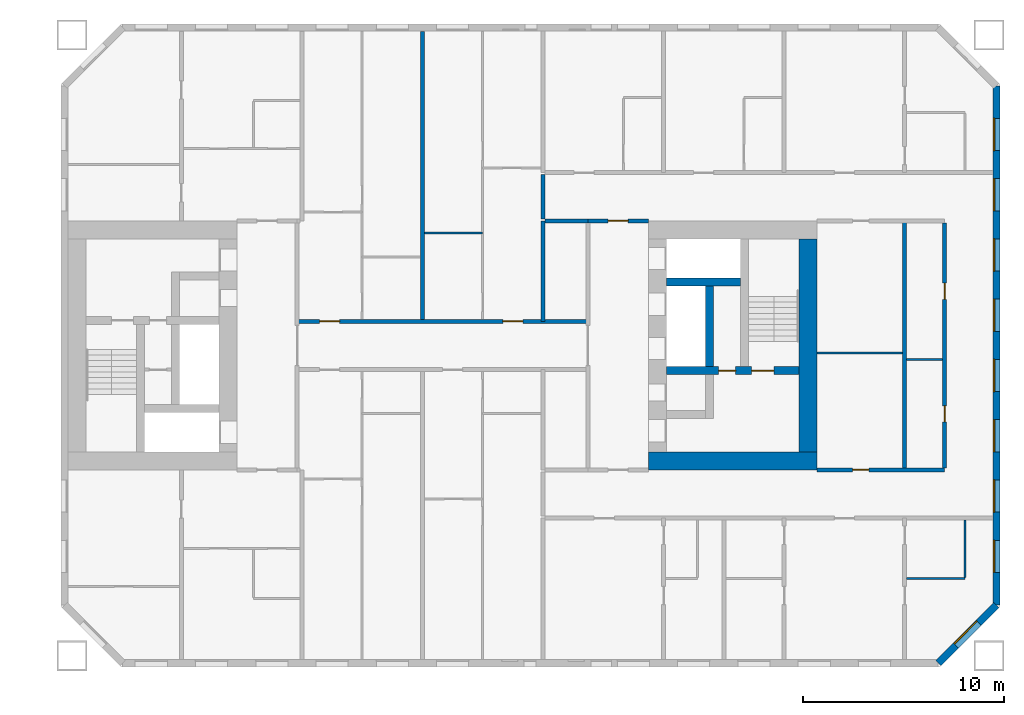
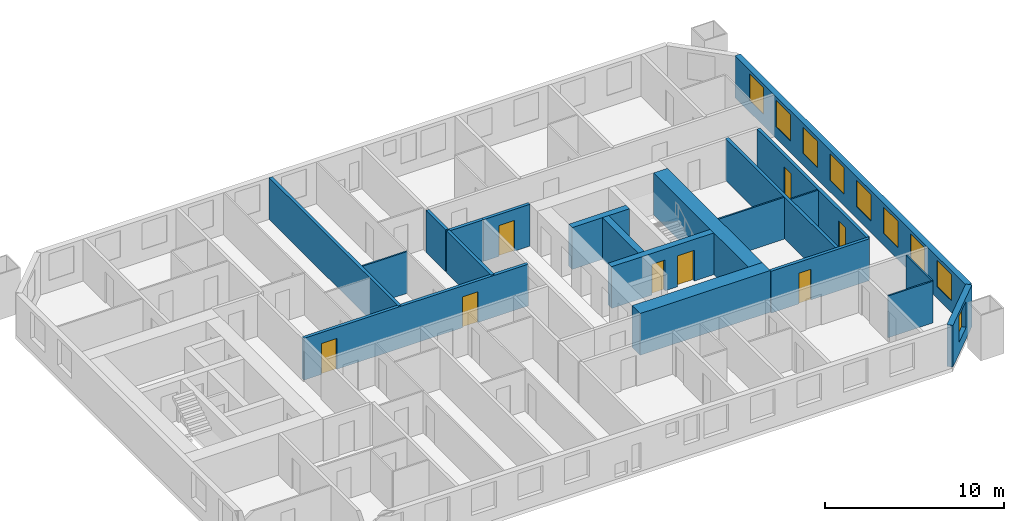
# One storey, part 12 of 16: 21 walls, 9 windows, 8 doors, 17 openings.
"""IFC4 building model written with IfcOpenShell, lengths in metres."""

from ifc_helpers import new_model, si_unit, direction, frame, frame_2d, origin, place, context, subcontext, project, spatial, rectangle, extrude, material, layer, layer_set, type_object, element, fill, save


model = new_model("IFC4")

# Units and contexts
model_context = context("Model", 3, precision=1e-05, world=origin(), true_north=direction((0.0, 1.0)))
body_context = subcontext(model_context, "Body", "Model", "MODEL_VIEW")
ifc_project = project(units=[si_unit("LENGTHUNIT", "METRE"), si_unit("AREAUNIT", "SQUARE_METRE"), si_unit("VOLUMEUNIT", "CUBIC_METRE"), si_unit("PLANEANGLEUNIT", "RADIAN"), si_unit("MASSUNIT", "GRAM", prefix="KILO")], contexts=[model_context])

# Site, building, storey
site_placement = place(None, origin())
site = spatial("IfcSite", under=ifc_project, at=site_placement, CompositionType="ELEMENT")
building_placement = place(site_placement, origin())
building = spatial("IfcBuilding", under=site, at=building_placement, Name="Tuart Gate Housing", CompositionType="ELEMENT")
storey_placement = place(building_placement, frame((0.0, 0.0, 35.0)))
storey = spatial("IfcBuildingStorey", under=building, at=storey_placement, Name="L09", CompositionType="ELEMENT", Elevation=35.0)

# Wall, opening, window
ifc_material_1 = material(Name="Brick", Category="masonry")
ifc_layer_1 = layer(ifc_material_1, 0.360107421875)
ifc_layer_set_1 = layer_set([ifc_layer_1], Name="Brick pier and spandrel wall 360")
wall_type_1 = type_object("IfcWallType", Name="Brick pier and spandrel wall 360", PredefinedType="STANDARD", material=ifc_layer_set_1)
wall_1_placement = place(storey_placement, frame((174.67529296875, 54.179931640625, 0.0), z_axis=(0.0, 0.0, 1.0), x_axis=(0.707106781187, 0.707106781187, 0.0)))
wall_1 = element("IfcWall", 1, at=wall_1_placement, inside=storey, type_object=wall_type_1, Name="External wall B-SE L09", PredefinedType="STANDARD", context=body_context, shape_type="SweptSolid", body=[
    extrude(rectangle(XDim=4.09375, YDim=0.360107421875, at=frame_2d((2.046875, 0.0))), origin(), (0.0, 0.0, 1.0), 2.85009765625),
])
opening_1_placement = place(wall_1_placement, frame((1.2470703125, 0.0, 0.800048828125)))
opening_1 = element("IfcOpeningElement", 2, at=opening_1_placement, cuts=wall_1, Name="Opening W1", PredefinedType="OPENING", context=body_context, shape_type="SweptSolid", body=[
    extrude(rectangle(XDim=1.60009765625, YDim=1.800048828125, at=frame_2d((0.800048828125, 0.89990234375))), frame((0.0, 0.18994140625, 0.0), z_axis=(0.0, -1.0, 0.0), x_axis=(1.0, 0.0, 0.0)), (0.0, 0.0, 1.0), 0.380126953125),
])
ifc_material_2 = material(Name="Aluminium frame with clear glass", Category="aluminium")
window_type = type_object("IfcWindowType", Name="Punched window 1600 x 1800", PartitioningType="SINGLE_PANEL", PredefinedType="WINDOW", material=ifc_material_2)
window_1_placement = place(opening_1_placement, origin())
window_1 = element("IfcWindow", 3, at=window_1_placement, inside=storey, type_object=window_type, Name="Window W1", OverallHeight=1.800048828125, OverallWidth=1.60009765625, PartitioningType="SINGLE_PANEL", PredefinedType="WINDOW", context=body_context, shape_type="SweptSolid", body=[
    extrude(rectangle(XDim=1.60009765625, YDim=1.800048828125, at=frame_2d((0.800048828125, 0.89990234375))), frame((0.0, 0.150146484375, 0.0), z_axis=(0.0, -1.0, 0.0), x_axis=(1.0, 0.0, 0.0)), (0.0, 0.0, 1.0), 0.06005859375),
])
fill(opening_1, window_1)

# Wall, openings, windows
wall_2_placement = place(storey_placement, frame((177.570068359375, 57.07470703125, 0.0), z_axis=(0.0, 0.0, 1.0), x_axis=(0.0, 1.0, 0.0)))
wall_2 = element("IfcWall", 4, at=wall_2_placement, inside=storey, type_object=wall_type_1, Name="External wall B-E L09", PredefinedType="STANDARD", context=body_context, shape_type="SweptSolid", body=[
    extrude(rectangle(XDim=25.850830078125, YDim=0.360107421875, at=frame_2d((12.92529296875, 0.0))), origin(), (0.0, 0.0, 1.0), 2.85009765625),
])
opening_2_placement = place(wall_2_placement, frame((1.62548828125, 0.0, 0.800048828125)))
opening_2 = element("IfcOpeningElement", 5, at=opening_2_placement, cuts=wall_2, Name="Opening W1", PredefinedType="OPENING", context=body_context, shape_type="SweptSolid", body=[
    extrude(rectangle(XDim=1.60009765625, YDim=1.800048828125, at=frame_2d((0.800048828125, 0.89990234375))), frame((0.0, 0.18994140625, 0.0), z_axis=(0.0, -1.0, 0.0), x_axis=(1.0, 0.0, 0.0)), (0.0, 0.0, 1.0), 0.380126953125),
])
opening_3_placement = place(wall_2_placement, frame((4.62548828125, 0.0, 0.800048828125)))
opening_3 = element("IfcOpeningElement", 6, at=opening_3_placement, cuts=wall_2, Name="Opening W1", PredefinedType="OPENING", context=body_context, shape_type="SweptSolid", body=[
    extrude(rectangle(XDim=1.60009765625, YDim=1.800048828125, at=frame_2d((0.800048828125, 0.89990234375))), frame((0.0, 0.18994140625, 0.0), z_axis=(0.0, -1.0, 0.0), x_axis=(1.0, 0.0, 0.0)), (0.0, 0.0, 1.0), 0.380126953125),
])
opening_4_placement = place(wall_2_placement, frame((7.62548828125, 0.0, 0.800048828125)))
opening_4 = element("IfcOpeningElement", 7, at=opening_4_placement, cuts=wall_2, Name="Opening W1", PredefinedType="OPENING", context=body_context, shape_type="SweptSolid", body=[
    extrude(rectangle(XDim=1.60009765625, YDim=1.800048828125, at=frame_2d((0.800048828125, 0.89990234375))), frame((0.0, 0.18994140625, 0.0), z_axis=(0.0, -1.0, 0.0), x_axis=(1.0, 0.0, 0.0)), (0.0, 0.0, 1.0), 0.380126953125),
])
opening_5_placement = place(wall_2_placement, frame((10.62548828125, 0.0, 0.800048828125)))
opening_5 = element("IfcOpeningElement", 8, at=opening_5_placement, cuts=wall_2, Name="Opening W1", PredefinedType="OPENING", context=body_context, shape_type="SweptSolid", body=[
    extrude(rectangle(XDim=1.60009765625, YDim=1.800048828125, at=frame_2d((0.800048828125, 0.89990234375))), frame((0.0, 0.18994140625, 0.0), z_axis=(0.0, -1.0, 0.0), x_axis=(1.0, 0.0, 0.0)), (0.0, 0.0, 1.0), 0.380126953125),
])
opening_6_placement = place(wall_2_placement, frame((13.62548828125, 0.0, 0.800048828125)))
opening_6 = element("IfcOpeningElement", 9, at=opening_6_placement, cuts=wall_2, Name="Opening W1", PredefinedType="OPENING", context=body_context, shape_type="SweptSolid", body=[
    extrude(rectangle(XDim=1.60009765625, YDim=1.800048828125, at=frame_2d((0.800048828125, 0.89990234375))), frame((0.0, 0.18994140625, 0.0), z_axis=(0.0, -1.0, 0.0), x_axis=(1.0, 0.0, 0.0)), (0.0, 0.0, 1.0), 0.380126953125),
])
opening_7_placement = place(wall_2_placement, frame((16.62548828125, 0.0, 0.800048828125)))
opening_7 = element("IfcOpeningElement", 10, at=opening_7_placement, cuts=wall_2, Name="Opening W1", PredefinedType="OPENING", context=body_context, shape_type="SweptSolid", body=[
    extrude(rectangle(XDim=1.60009765625, YDim=1.800048828125, at=frame_2d((0.800048828125, 0.89990234375))), frame((0.0, 0.18994140625, 0.0), z_axis=(0.0, -1.0, 0.0), x_axis=(1.0, 0.0, 0.0)), (0.0, 0.0, 1.0), 0.380126953125),
])
opening_8_placement = place(wall_2_placement, frame((19.62548828125, 0.0, 0.800048828125)))
opening_8 = element("IfcOpeningElement", 11, at=opening_8_placement, cuts=wall_2, Name="Opening W1", PredefinedType="OPENING", context=body_context, shape_type="SweptSolid", body=[
    extrude(rectangle(XDim=1.60009765625, YDim=1.800048828125, at=frame_2d((0.800048828125, 0.89990234375))), frame((0.0, 0.18994140625, 0.0), z_axis=(0.0, -1.0, 0.0), x_axis=(1.0, 0.0, 0.0)), (0.0, 0.0, 1.0), 0.380126953125),
])
opening_9_placement = place(wall_2_placement, frame((22.62548828125, 0.0, 0.800048828125)))
opening_9 = element("IfcOpeningElement", 12, at=opening_9_placement, cuts=wall_2, Name="Opening W1", PredefinedType="OPENING", context=body_context, shape_type="SweptSolid", body=[
    extrude(rectangle(XDim=1.60009765625, YDim=1.800048828125, at=frame_2d((0.800048828125, 0.89990234375))), frame((0.0, 0.18994140625, 0.0), z_axis=(0.0, -1.0, 0.0), x_axis=(1.0, 0.0, 0.0)), (0.0, 0.0, 1.0), 0.380126953125),
])
window_2_placement = place(opening_2_placement, origin())
window_2 = element("IfcWindow", 13, at=window_2_placement, inside=storey, type_object=window_type, Name="Window W1", OverallHeight=1.800048828125, OverallWidth=1.60009765625, PartitioningType="SINGLE_PANEL", PredefinedType="WINDOW", context=body_context, shape_type="SweptSolid", body=[
    extrude(rectangle(XDim=1.60009765625, YDim=1.800048828125, at=frame_2d((0.800048828125, 0.89990234375))), frame((0.0, 0.150146484375, 0.0), z_axis=(0.0, -1.0, 0.0), x_axis=(1.0, 0.0, 0.0)), (0.0, 0.0, 1.0), 0.06005859375),
])
fill(opening_2, window_2)
window_3_placement = place(opening_3_placement, origin())
window_3 = element("IfcWindow", 14, at=window_3_placement, inside=storey, type_object=window_type, Name="Window W1", OverallHeight=1.800048828125, OverallWidth=1.60009765625, PartitioningType="SINGLE_PANEL", PredefinedType="WINDOW", context=body_context, shape_type="SweptSolid", body=[
    extrude(rectangle(XDim=1.60009765625, YDim=1.800048828125, at=frame_2d((0.800048828125, 0.89990234375))), frame((0.0, 0.150146484375, 0.0), z_axis=(0.0, -1.0, 0.0), x_axis=(1.0, 0.0, 0.0)), (0.0, 0.0, 1.0), 0.06005859375),
])
fill(opening_3, window_3)
window_4_placement = place(opening_4_placement, origin())
window_4 = element("IfcWindow", 15, at=window_4_placement, inside=storey, type_object=window_type, Name="Window W1", OverallHeight=1.800048828125, OverallWidth=1.60009765625, PartitioningType="SINGLE_PANEL", PredefinedType="WINDOW", context=body_context, shape_type="SweptSolid", body=[
    extrude(rectangle(XDim=1.60009765625, YDim=1.800048828125, at=frame_2d((0.800048828125, 0.89990234375))), frame((0.0, 0.150146484375, 0.0), z_axis=(0.0, -1.0, 0.0), x_axis=(1.0, 0.0, 0.0)), (0.0, 0.0, 1.0), 0.06005859375),
])
fill(opening_4, window_4)
window_5_placement = place(opening_5_placement, origin())
window_5 = element("IfcWindow", 16, at=window_5_placement, inside=storey, type_object=window_type, Name="Window W1", OverallHeight=1.800048828125, OverallWidth=1.60009765625, PartitioningType="SINGLE_PANEL", PredefinedType="WINDOW", context=body_context, shape_type="SweptSolid", body=[
    extrude(rectangle(XDim=1.60009765625, YDim=1.800048828125, at=frame_2d((0.800048828125, 0.89990234375))), frame((0.0, 0.150146484375, 0.0), z_axis=(0.0, -1.0, 0.0), x_axis=(1.0, 0.0, 0.0)), (0.0, 0.0, 1.0), 0.06005859375),
])
fill(opening_5, window_5)
window_6_placement = place(opening_6_placement, origin())
window_6 = element("IfcWindow", 17, at=window_6_placement, inside=storey, type_object=window_type, Name="Window W1", OverallHeight=1.800048828125, OverallWidth=1.60009765625, PartitioningType="SINGLE_PANEL", PredefinedType="WINDOW", context=body_context, shape_type="SweptSolid", body=[
    extrude(rectangle(XDim=1.60009765625, YDim=1.800048828125, at=frame_2d((0.800048828125, 0.89990234375))), frame((0.0, 0.150146484375, 0.0), z_axis=(0.0, -1.0, 0.0), x_axis=(1.0, 0.0, 0.0)), (0.0, 0.0, 1.0), 0.06005859375),
])
fill(opening_6, window_6)
window_7_placement = place(opening_7_placement, origin())
window_7 = element("IfcWindow", 18, at=window_7_placement, inside=storey, type_object=window_type, Name="Window W1", OverallHeight=1.800048828125, OverallWidth=1.60009765625, PartitioningType="SINGLE_PANEL", PredefinedType="WINDOW", context=body_context, shape_type="SweptSolid", body=[
    extrude(rectangle(XDim=1.60009765625, YDim=1.800048828125, at=frame_2d((0.800048828125, 0.89990234375))), frame((0.0, 0.150146484375, 0.0), z_axis=(0.0, -1.0, 0.0), x_axis=(1.0, 0.0, 0.0)), (0.0, 0.0, 1.0), 0.06005859375),
])
fill(opening_7, window_7)
window_8_placement = place(opening_8_placement, origin())
window_8 = element("IfcWindow", 19, at=window_8_placement, inside=storey, type_object=window_type, Name="Window W1", OverallHeight=1.800048828125, OverallWidth=1.60009765625, PartitioningType="SINGLE_PANEL", PredefinedType="WINDOW", context=body_context, shape_type="SweptSolid", body=[
    extrude(rectangle(XDim=1.60009765625, YDim=1.800048828125, at=frame_2d((0.800048828125, 0.89990234375))), frame((0.0, 0.150146484375, 0.0), z_axis=(0.0, -1.0, 0.0), x_axis=(1.0, 0.0, 0.0)), (0.0, 0.0, 1.0), 0.06005859375),
])
fill(opening_8, window_8)
window_9_placement = place(opening_9_placement, origin())
window_9 = element("IfcWindow", 20, at=window_9_placement, inside=storey, type_object=window_type, Name="Window W1", OverallHeight=1.800048828125, OverallWidth=1.60009765625, PartitioningType="SINGLE_PANEL", PredefinedType="WINDOW", context=body_context, shape_type="SweptSolid", body=[
    extrude(rectangle(XDim=1.60009765625, YDim=1.800048828125, at=frame_2d((0.800048828125, 0.89990234375))), frame((0.0, 0.150146484375, 0.0), z_axis=(0.0, -1.0, 0.0), x_axis=(1.0, 0.0, 0.0)), (0.0, 0.0, 1.0), 0.06005859375),
])
fill(opening_9, window_9)

# Wall
ifc_material_3 = material(Name="Concrete C60", Category="concrete")
ifc_layer_2 = layer(ifc_material_3, 0.39990234375)
ifc_layer_set_2 = layer_set([ifc_layer_2], Name="Core wall 400 C60")
wall_type_2 = type_object("IfcWallType", Name="Core wall 400 C60", PredefinedType="SHEAR", material=ifc_layer_set_2)
wall_3_placement = place(storey_placement, frame((161.139892578125, 73.14990234375, 0.0), z_axis=(0.0, 0.0, 1.0), x_axis=(1.0, 0.0, 0.0)))
element("IfcWall", 21, at=wall_3_placement, inside=storey, type_object=wall_type_2, Name="Core wall BK.1", PredefinedType="SHEAR", context=body_context, shape_type="SweptSolid", body=[
    extrude(rectangle(XDim=3.7001953125, YDim=0.39990234375, at=frame_2d((1.85009765625, 0.0))), origin(), (0.0, 0.0, 1.0), 2.85009765625),
])

# Wall, openings, doors
wall_4_placement = place(storey_placement, frame((161.139892578125, 68.75, 0.0), z_axis=(0.0, 0.0, 1.0), x_axis=(1.0, 0.0, 0.0)))
wall_4 = element("IfcWall", 22, at=wall_4_placement, inside=storey, type_object=wall_type_2, Name="Core wall BK.2", PredefinedType="SHEAR", context=body_context, shape_type="SweptSolid", body=[
    extrude(rectangle(XDim=6.60009765625, YDim=0.39990234375, at=frame_2d((3.300048828125, 0.0))), origin(), (0.0, 0.0, 1.0), 2.85009765625),
])
opening_10_placement = place(wall_4_placement, frame((4.25, 0.0, 0.0)))
opening_10 = element("IfcOpeningElement", 23, at=opening_10_placement, cuts=wall_4, Name="Opening D568", PredefinedType="OPENING", context=body_context, shape_type="SweptSolid", body=[
    extrude(rectangle(XDim=1.10009765625, YDim=2.10009765625, at=frame_2d((0.550048828125, 1.050048828125))), frame((0.0, 0.2099609375, 0.0), z_axis=(0.0, -1.0, 0.0), x_axis=(1.0, 0.0, 0.0)), (0.0, 0.0, 1.0), 0.419921875),
])
opening_11_placement = place(wall_4_placement, frame((2.60009765625, 0.0, 0.0)))
opening_11 = element("IfcOpeningElement", 24, at=opening_11_placement, cuts=wall_4, Name="Opening D567", PredefinedType="OPENING", context=body_context, shape_type="SweptSolid", body=[
    extrude(rectangle(XDim=0.85009765625, YDim=2.10009765625, at=frame_2d((0.425048828125, 1.050048828125))), frame((0.0, 0.2099609375, 0.0), z_axis=(0.0, -1.0, 0.0), x_axis=(1.0, 0.0, 0.0)), (0.0, 0.0, 1.0), 0.419921875),
])
ifc_material_4 = material(Name="Steel fire door", Category="steel")
door_type_1 = type_object("IfcDoorType", Name="Riser door 850 x 2100", OperationType="SINGLE_SWING_LEFT", PredefinedType="DOOR", material=ifc_material_4)
door_1_placement = place(opening_11_placement, origin())
door_1 = element("IfcDoor", 25, at=door_1_placement, inside=storey, type_object=door_type_1, Name="Service room door BK.W1", OperationType="SINGLE_SWING_LEFT", OverallHeight=2.10009765625, OverallWidth=0.85009765625, PredefinedType="DOOR", context=body_context, shape_type="SweptSolid", body=[
    extrude(rectangle(XDim=0.85009765625, YDim=2.10009765625, at=frame_2d((0.425048828125, 1.050048828125))), frame((0.0, 0.02490234375, 0.0), z_axis=(0.0, -1.0, 0.0), x_axis=(1.0, 0.0, 0.0)), (0.0, 0.0, 1.0), 0.050048828125),
])
fill(opening_11, door_1)
ifc_material_5 = material(Name="Steel fire door", Category="steel")
door_type_2 = type_object("IfcDoorType", Name="Stair door 1100 x 2100", OperationType="SINGLE_SWING_LEFT", PredefinedType="DOOR", material=ifc_material_5)
door_2_placement = place(opening_10_placement, origin())
door_2 = element("IfcDoor", 26, at=door_2_placement, inside=storey, type_object=door_type_2, Name="Stair door BK.SD", OperationType="SINGLE_SWING_LEFT", OverallHeight=2.10009765625, OverallWidth=1.10009765625, PredefinedType="DOOR", context=body_context, shape_type="SweptSolid", body=[
    extrude(rectangle(XDim=1.10009765625, YDim=2.10009765625, at=frame_2d((0.550048828125, 1.050048828125))), frame((0.0, 0.02490234375, 0.0), z_axis=(0.0, -1.0, 0.0), x_axis=(1.0, 0.0, 0.0)), (0.0, 0.0, 1.0), 0.050048828125),
])
fill(opening_10, door_2)

# Walls
wall_5_placement = place(storey_placement, frame((163.2900390625, 72.949951171875, 0.0), z_axis=(0.0, 0.0, 1.0), x_axis=(0.0, -1.0, 0.0)))
element("IfcWall", 27, at=wall_5_placement, inside=storey, type_object=wall_type_2, Name="Core wall BK.4", PredefinedType="SHEAR", context=body_context, shape_type="SweptSolid", body=[
    extrude(rectangle(XDim=4.0, YDim=0.39990234375, at=frame_2d((2.0, 0.0))), origin(), (0.0, 0.0, 1.0), 2.85009765625),
])
ifc_material_6 = material(Name="Concrete C60", Category="concrete")
ifc_layer_3 = layer(ifc_material_6, 0.89990234375)
ifc_layer_set_3 = layer_set([ifc_layer_3], Name="Core wall 900 C60")
wall_type_3 = type_object("IfcWallType", Name="Core wall 900 C60", PredefinedType="SHEAR", material=ifc_layer_set_3)
wall_6_placement = place(storey_placement, frame((168.18994140625, 75.300048828125, 0.0), z_axis=(0.0, 0.0, 1.0), x_axis=(0.0, -1.0, 0.0)))
element("IfcWall", 28, at=wall_6_placement, inside=storey, type_object=wall_type_3, Name="Core wall BK back", PredefinedType="SHEAR", context=body_context, shape_type="SweptSolid", body=[
    extrude(rectangle(XDim=10.60009765625, YDim=0.89990234375, at=frame_2d((5.300048828125, 0.0))), origin(), (0.0, 0.0, 1.0), 2.85009765625),
])
wall_7_placement = place(storey_placement, frame((160.239990234375, 64.25, 0.0), z_axis=(0.0, 0.0, 1.0), x_axis=(1.0, 0.0, 0.0)))
element("IfcWall", 29, at=wall_7_placement, inside=storey, type_object=wall_type_3, Name="Core wall BK north", PredefinedType="SHEAR", context=body_context, shape_type="SweptSolid", body=[
    extrude(rectangle(XDim=8.39990234375, YDim=0.89990234375, at=frame_2d((4.199951171875, 0.0))), origin(), (0.0, 0.0, 1.0), 2.85009765625),
])

# Wall, opening, door
ifc_material_7 = material(Name="Concrete masonry 15 MPa", Category="masonry")
ifc_layer_4 = layer(ifc_material_7, 0.199951171875)
ifc_layer_set_4 = layer_set([ifc_layer_4], Name="Corridor wall masonry 200")
wall_type_4 = type_object("IfcWallType", Name="Corridor wall masonry 200", PredefinedType="PARTITIONING", material=ifc_layer_set_4)
wall_8_placement = place(storey_placement, frame((168.639892578125, 63.800048828125, 0.0), z_axis=(0.0, 0.0, 1.0), x_axis=(1.0, 0.0, 0.0)))
wall_8 = element("IfcWall", 30, at=wall_8_placement, inside=storey, type_object=wall_type_4, Name="Corridor wall masonry 200", PredefinedType="PARTITIONING", context=body_context, shape_type="SweptSolid", body=[
    extrude(rectangle(XDim=6.35009765625, YDim=0.199951171875, at=frame_2d((3.175048828125, 0.0))), origin(), (0.0, 0.0, 1.0), 2.85009765625),
])
opening_12_placement = place(wall_8_placement, frame((1.780029296875, 0.0, 0.0)))
opening_12 = element("IfcOpeningElement", 31, at=opening_12_placement, cuts=wall_8, Name="Opening D571", PredefinedType="OPENING", context=body_context, shape_type="SweptSolid", body=[
    extrude(rectangle(XDim=0.800048828125, YDim=2.10009765625, at=frame_2d((0.39990234375, 1.050048828125))), frame((0.0, 0.10986328125, 0.0), z_axis=(0.0, -1.0, 0.0), x_axis=(1.0, 0.0, 0.0)), (0.0, 0.0, 1.0), 0.219970703125),
])
ifc_material_8 = material(Name="Timber door leaf in steel frame", Category="steel")
door_type_3 = type_object("IfcDoorType", Name="Store door 800", OperationType="SINGLE_SWING_LEFT", PredefinedType="DOOR", material=ifc_material_8)
door_3_placement = place(opening_12_placement, origin())
door_3 = element("IfcDoor", 32, at=door_3_placement, inside=storey, type_object=door_type_3, Name="Store door", OperationType="SINGLE_SWING_LEFT", OverallHeight=2.10009765625, OverallWidth=0.800048828125, PredefinedType="DOOR", context=body_context, shape_type="SweptSolid", body=[
    extrude(rectangle(XDim=0.800048828125, YDim=2.10009765625, at=frame_2d((0.39990234375, 1.050048828125))), frame((0.0, 0.02490234375, 0.0), z_axis=(0.0, -1.0, 0.0), x_axis=(1.0, 0.0, 0.0)), (0.0, 0.0, 1.0), 0.050048828125),
])
fill(opening_12, door_3)

# Wall, openings, doors
wall_9_placement = place(storey_placement, frame((142.760009765625, 71.199951171875, 0.0), z_axis=(0.0, 0.0, 1.0), x_axis=(1.0, 0.0, 0.0)))
wall_9 = element("IfcWall", 33, at=wall_9_placement, inside=storey, type_object=wall_type_4, Name="Corridor wall masonry 200", PredefinedType="PARTITIONING", context=body_context, shape_type="SweptSolid", body=[
    extrude(rectangle(XDim=14.47998046875, YDim=0.199951171875, at=frame_2d((7.239990234375, 0.0))), origin(), (0.0, 0.0, 1.0), 2.85009765625),
])
opening_13_placement = place(wall_9_placement, frame((1.1201171875, 0.0, 0.0)))
opening_13 = element("IfcOpeningElement", 34, at=opening_13_placement, cuts=wall_9, Name="Opening D554", PredefinedType="OPENING", context=body_context, shape_type="SweptSolid", body=[
    extrude(rectangle(XDim=1.0, YDim=2.10009765625, at=frame_2d((0.5, 1.050048828125))), frame((0.0, 0.10986328125, 0.0), z_axis=(0.0, -1.0, 0.0), x_axis=(1.0, 0.0, 0.0)), (0.0, 0.0, 1.0), 0.219970703125),
])
opening_14_placement = place(wall_9_placement, frame((10.239990234375, 0.0, 0.0)))
opening_14 = element("IfcOpeningElement", 35, at=opening_14_placement, cuts=wall_9, Name="Opening D555", PredefinedType="OPENING", context=body_context, shape_type="SweptSolid", body=[
    extrude(rectangle(XDim=1.0, YDim=2.10009765625, at=frame_2d((0.5, 1.050048828125))), frame((0.0, 0.10986328125, 0.0), z_axis=(0.0, -1.0, 0.0), x_axis=(1.0, 0.0, 0.0)), (0.0, 0.0, 1.0), 0.219970703125),
])
ifc_material_9 = material(Name="Timber door leaf in steel frame", Category="steel")
door_type_4 = type_object("IfcDoorType", Name="Flat entrance door 1000", OperationType="SINGLE_SWING_LEFT", PredefinedType="DOOR", material=ifc_material_9)
door_4_placement = place(opening_13_placement, origin())
door_4 = element("IfcDoor", 36, at=door_4_placement, inside=storey, type_object=door_type_4, Name="Flat entrance door", OperationType="SINGLE_SWING_LEFT", OverallHeight=2.10009765625, OverallWidth=1.0, PredefinedType="DOOR", context=body_context, shape_type="SweptSolid", body=[
    extrude(rectangle(XDim=1.0, YDim=2.10009765625, at=frame_2d((0.5, 1.050048828125))), frame((0.0, 0.02490234375, 0.0), z_axis=(0.0, -1.0, 0.0), x_axis=(1.0, 0.0, 0.0)), (0.0, 0.0, 1.0), 0.050048828125),
])
fill(opening_13, door_4)
door_5_placement = place(opening_14_placement, origin())
door_5 = element("IfcDoor", 37, at=door_5_placement, inside=storey, type_object=door_type_4, Name="Flat entrance door", OperationType="SINGLE_SWING_LEFT", OverallHeight=2.10009765625, OverallWidth=1.0, PredefinedType="DOOR", context=body_context, shape_type="SweptSolid", body=[
    extrude(rectangle(XDim=1.0, YDim=2.10009765625, at=frame_2d((0.5, 1.050048828125))), frame((0.0, 0.02490234375, 0.0), z_axis=(0.0, -1.0, 0.0), x_axis=(1.0, 0.0, 0.0)), (0.0, 0.0, 1.0), 0.050048828125),
])
fill(opening_14, door_5)

# Walls
wall_10_placement = place(storey_placement, frame((155.10009765625, 76.199951171875, 0.0), z_axis=(0.0, 0.0, 1.0), x_axis=(1.0, 0.0, 0.0)))
element("IfcWall", 38, at=wall_10_placement, inside=storey, type_object=wall_type_4, Name="Corridor wall masonry 200", PredefinedType="PARTITIONING", context=body_context, shape_type="SweptSolid", body=[
    extrude(rectangle(XDim=2.139892578125, YDim=0.199951171875, at=frame_2d((1.06982421875, 0.0))), origin(), (0.0, 0.0, 1.0), 2.85009765625),
])
wall_11_placement = place(storey_placement, frame((155.0, 76.300048828125, 0.0), z_axis=(0.0, 0.0, 1.0), x_axis=(0.0, 1.0, 0.0)))
element("IfcWall", 39, at=wall_11_placement, inside=storey, type_object=wall_type_4, Name="Corridor wall masonry 200", PredefinedType="PARTITIONING", context=body_context, shape_type="SweptSolid", body=[
    extrude(rectangle(XDim=2.199951171875, YDim=0.199951171875, at=frame_2d((1.10009765625, 0.0))), origin(), (0.0, 0.0, 1.0), 2.85009765625),
])

# Wall, openings, doors
wall_12_placement = place(storey_placement, frame((174.989990234375, 63.89990234375, 0.0), z_axis=(0.0, 0.0, 1.0), x_axis=(0.0, 1.0, 0.0)))
wall_12 = element("IfcWall", 40, at=wall_12_placement, inside=storey, type_object=wall_type_4, Name="Corridor wall masonry 200", PredefinedType="PARTITIONING", context=body_context, shape_type="SweptSolid", body=[
    extrude(rectangle(XDim=12.2001953125, YDim=0.199951171875, at=frame_2d((6.10009765625, 0.0))), origin(), (0.0, 0.0, 1.0), 2.85009765625),
])
opening_15_placement = place(wall_12_placement, frame((2.294921875, 0.0, 0.0)))
opening_15 = element("IfcOpeningElement", 41, at=opening_15_placement, cuts=wall_12, Name="Opening D562", PredefinedType="OPENING", context=body_context, shape_type="SweptSolid", body=[
    extrude(rectangle(XDim=0.800048828125, YDim=2.10009765625, at=frame_2d((0.39990234375, 1.050048828125))), frame((0.0, 0.10986328125, 0.0), z_axis=(0.0, -1.0, 0.0), x_axis=(1.0, 0.0, 0.0)), (0.0, 0.0, 1.0), 0.219970703125),
])
opening_16_placement = place(wall_12_placement, frame((8.39501953125, 0.0, 0.0)))
opening_16 = element("IfcOpeningElement", 42, at=opening_16_placement, cuts=wall_12, Name="Opening D563", PredefinedType="OPENING", context=body_context, shape_type="SweptSolid", body=[
    extrude(rectangle(XDim=0.800048828125, YDim=2.10009765625, at=frame_2d((0.39990234375, 1.050048828125))), frame((0.0, 0.10986328125, 0.0), z_axis=(0.0, -1.0, 0.0), x_axis=(1.0, 0.0, 0.0)), (0.0, 0.0, 1.0), 0.219970703125),
])
door_6_placement = place(opening_16_placement, origin())
door_6 = element("IfcDoor", 43, at=door_6_placement, inside=storey, type_object=door_type_3, Name="Store door", OperationType="SINGLE_SWING_LEFT", OverallHeight=2.10009765625, OverallWidth=0.800048828125, PredefinedType="DOOR", context=body_context, shape_type="SweptSolid", body=[
    extrude(rectangle(XDim=0.800048828125, YDim=2.10009765625, at=frame_2d((0.39990234375, 1.050048828125))), frame((0.0, 0.02490234375, 0.0), z_axis=(0.0, -1.0, 0.0), x_axis=(1.0, 0.0, 0.0)), (0.0, 0.0, 1.0), 0.050048828125),
])
fill(opening_16, door_6)
ifc_material_10 = material(Name="Timber door leaf in steel frame", Category="steel")
door_type_5 = type_object("IfcDoorType", Name="Store door 800 RH", OperationType="SINGLE_SWING_RIGHT", PredefinedType="DOOR", material=ifc_material_10)
door_7_placement = place(opening_15_placement, origin())
door_7 = element("IfcDoor", 44, at=door_7_placement, inside=storey, type_object=door_type_5, Name="Store door", OperationType="SINGLE_SWING_RIGHT", OverallHeight=2.10009765625, OverallWidth=0.800048828125, PredefinedType="DOOR", context=body_context, shape_type="SweptSolid", body=[
    extrude(rectangle(XDim=0.800048828125, YDim=2.10009765625, at=frame_2d((0.39990234375, 1.050048828125))), frame((0.0, 0.02490234375, 0.0), z_axis=(0.0, -1.0, 0.0), x_axis=(1.0, 0.0, 0.0)), (0.0, 0.0, 1.0), 0.050048828125),
])
fill(opening_15, door_7)

# Wall, opening, door
ifc_material_11 = material(Name="Concrete masonry 15 MPa", Category="masonry")
ifc_layer_5 = layer(ifc_material_11, 0.199951171875)
ifc_layer_set_5 = layer_set([ifc_layer_5], Name="Enclosure wall masonry 200")
wall_type_5 = type_object("IfcWallType", Name="Enclosure wall masonry 200", PredefinedType="PARTITIONING", material=ifc_layer_set_5)
wall_13_placement = place(storey_placement, frame((157.239990234375, 76.199951171875, 0.0), z_axis=(0.0, 0.0, 1.0), x_axis=(1.0, 0.0, 0.0)))
wall_13 = element("IfcWall", 45, at=wall_13_placement, inside=storey, type_object=wall_type_5, Name="Enclosure wall masonry 200", PredefinedType="PARTITIONING", context=body_context, shape_type="SweptSolid", body=[
    extrude(rectangle(XDim=3.0, YDim=0.199951171875, at=frame_2d((1.5, 0.0))), origin(), (0.0, 0.0, 1.0), 2.85009765625),
])
opening_17_placement = place(wall_13_placement, frame((1.0, 0.0, 0.0)))
opening_17 = element("IfcOpeningElement", 46, at=opening_17_placement, cuts=wall_13, Name="Opening D550", PredefinedType="OPENING", context=body_context, shape_type="SweptSolid", body=[
    extrude(rectangle(XDim=1.0, YDim=2.10009765625, at=frame_2d((0.5, 1.050048828125))), frame((0.0, 0.10986328125, 0.0), z_axis=(0.0, -1.0, 0.0), x_axis=(1.0, 0.0, 0.0)), (0.0, 0.0, 1.0), 0.219970703125),
])
ifc_material_12 = material(Name="Timber door leaf in steel frame", Category="steel")
door_type_6 = type_object("IfcDoorType", Name="Fire door 1000", OperationType="SINGLE_SWING_LEFT", PredefinedType="DOOR", material=ifc_material_12)
door_8_placement = place(opening_17_placement, origin())
door_8 = element("IfcDoor", 47, at=door_8_placement, inside=storey, type_object=door_type_6, Name="Fire door", OperationType="SINGLE_SWING_LEFT", OverallHeight=2.10009765625, OverallWidth=1.0, PredefinedType="DOOR", context=body_context, shape_type="SweptSolid", body=[
    extrude(rectangle(XDim=1.0, YDim=2.10009765625, at=frame_2d((0.5, 1.050048828125))), frame((0.0, 0.02490234375, 0.0), z_axis=(0.0, -1.0, 0.0), x_axis=(1.0, 0.0, 0.0)), (0.0, 0.0, 1.0), 0.050048828125),
])
fill(opening_17, door_8)

# Walls
ifc_material_13 = material(Name="Gypsum board on steel studs", Category="steel")
ifc_layer_6 = layer(ifc_material_13, 0.10009765625)
ifc_layer_set_6 = layer_set([ifc_layer_6], Name="Partition 100")
wall_type_6 = type_object("IfcWallType", Name="Partition 100", PredefinedType="PARTITIONING", material=ifc_layer_set_6)
wall_14_placement = place(storey_placement, frame((173.10009765625, 58.39990234375, 0.0), z_axis=(0.0, 0.0, 1.0), x_axis=(1.0, 0.0, 0.0)))
element("IfcWall", 48, at=wall_14_placement, inside=storey, type_object=wall_type_6, Name="Partition 100", PredefinedType="PARTITIONING", context=body_context, shape_type="SweptSolid", body=[
    extrude(rectangle(XDim=2.89990234375, YDim=0.10009765625, at=frame_2d((1.449951171875, 0.0))), origin(), (0.0, 0.0, 1.0), 2.85009765625),
])
wall_15_placement = place(storey_placement, frame((173.10009765625, 69.2900390625, 0.0), z_axis=(0.0, 0.0, 1.0), x_axis=(1.0, 0.0, 0.0)))
element("IfcWall", 49, at=wall_15_placement, inside=storey, type_object=wall_type_6, Name="Partition 100", PredefinedType="PARTITIONING", context=body_context, shape_type="SweptSolid", body=[
    extrude(rectangle(XDim=1.789794921875, YDim=0.10009765625, at=frame_2d((0.89501953125, 0.0))), origin(), (0.0, 0.0, 1.0), 2.85009765625),
])
wall_16_placement = place(storey_placement, frame((168.639892578125, 69.6298828125, 0.0), z_axis=(0.0, 0.0, 1.0), x_axis=(1.0, 0.0, 0.0)))
element("IfcWall", 50, at=wall_16_placement, inside=storey, type_object=wall_type_6, Name="Partition 100", PredefinedType="PARTITIONING", context=body_context, shape_type="SweptSolid", body=[
    extrude(rectangle(XDim=4.260009765625, YDim=0.10009765625, at=frame_2d((2.1298828125, 0.0))), origin(), (0.0, 0.0, 1.0), 2.85009765625),
])
wall_17_placement = place(storey_placement, frame((149.10009765625, 75.60009765625, 0.0), z_axis=(0.0, 0.0, 1.0), x_axis=(1.0, 0.0, 0.0)))
element("IfcWall", 51, at=wall_17_placement, inside=storey, type_object=wall_type_6, Name="Partition 100", PredefinedType="PARTITIONING", context=body_context, shape_type="SweptSolid", body=[
    extrude(rectangle(XDim=2.89990234375, YDim=0.10009765625, at=frame_2d((1.449951171875, 0.0))), origin(), (0.0, 0.0, 1.0), 2.85009765625),
])
wall_18_placement = place(storey_placement, frame((176.0, 58.449951171875, 0.0), z_axis=(0.0, 0.0, 1.0), x_axis=(0.0, 1.0, 0.0)))
element("IfcWall", 52, at=wall_18_placement, inside=storey, type_object=wall_type_6, Name="Partition 100", PredefinedType="PARTITIONING", context=body_context, shape_type="SweptSolid", body=[
    extrude(rectangle(XDim=2.85009765625, YDim=0.10009765625, at=frame_2d((1.425048828125, 0.0))), origin(), (0.0, 0.0, 1.0), 2.85009765625),
])
ifc_material_14 = material(Name="Concrete C40", Category="concrete")
ifc_layer_7 = layer(ifc_material_14, 0.199951171875)
ifc_layer_set_7 = layer_set([ifc_layer_7], Name="Party wall concrete C40 200")
wall_type_7 = type_object("IfcWallType", Name="Party wall concrete C40 200", PredefinedType="SOLIDWALL", material=ifc_layer_set_7)
wall_19_placement = place(storey_placement, frame((149.0, 71.199951171875, 0.0), z_axis=(0.0, 0.0, 1.0), x_axis=(0.0, 1.0, 0.0)))
element("IfcWall", 53, at=wall_19_placement, inside=storey, type_object=wall_type_7, Name="Party wall concrete C40 200", PredefinedType="SOLIDWALL", context=body_context, shape_type="SweptSolid", body=[
    extrude(rectangle(XDim=14.43994140625, YDim=0.199951171875, at=frame_2d((7.219970703125, 0.0))), origin(), (0.0, 0.0, 1.0), 2.85009765625),
])
wall_20_placement = place(storey_placement, frame((155.0, 71.199951171875, 0.0), z_axis=(0.0, 0.0, 1.0), x_axis=(0.0, 1.0, 0.0)))
element("IfcWall", 54, at=wall_20_placement, inside=storey, type_object=wall_type_7, Name="Party wall concrete C40 200", PredefinedType="SOLIDWALL", context=body_context, shape_type="SweptSolid", body=[
    extrude(rectangle(XDim=5.0, YDim=0.199951171875, at=frame_2d((2.5, 0.0))), origin(), (0.0, 0.0, 1.0), 2.85009765625),
])
wall_21_placement = place(storey_placement, frame((173.0, 63.800048828125, 0.0), z_axis=(0.0, 0.0, 1.0), x_axis=(0.0, 1.0, 0.0)))
element("IfcWall", 55, at=wall_21_placement, inside=storey, type_object=wall_type_7, Name="Party wall concrete C40 200", PredefinedType="SOLIDWALL", context=body_context, shape_type="SweptSolid", body=[
    extrude(rectangle(XDim=12.39990234375, YDim=0.199951171875, at=frame_2d((6.199951171875, 0.0))), origin(), (0.0, 0.0, 1.0), 2.85009765625),
])

save(model, "model.ifc")
